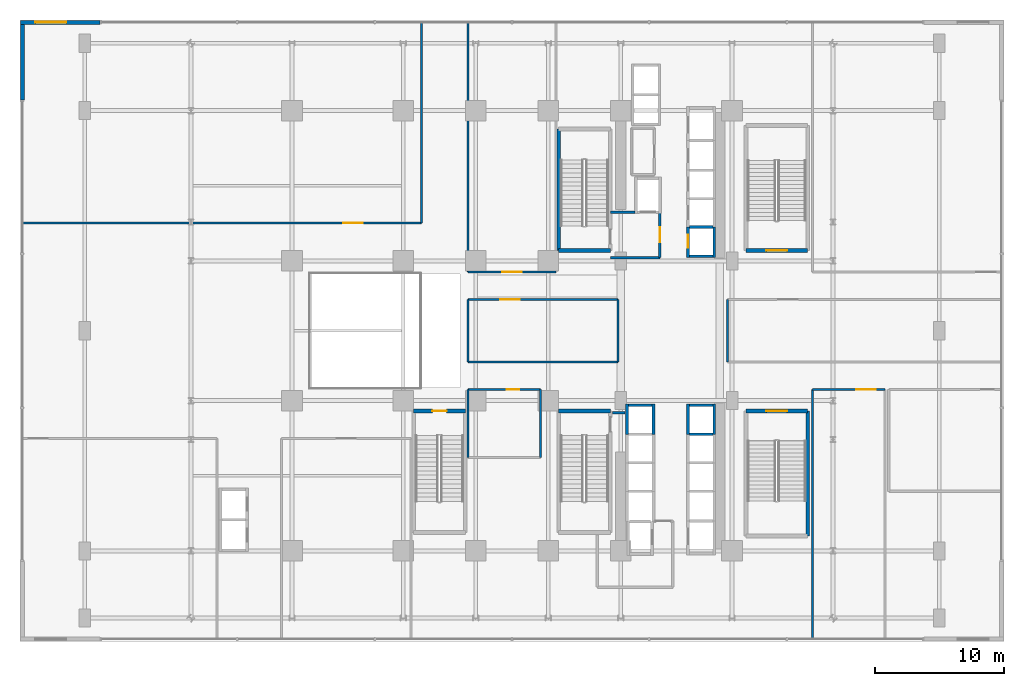
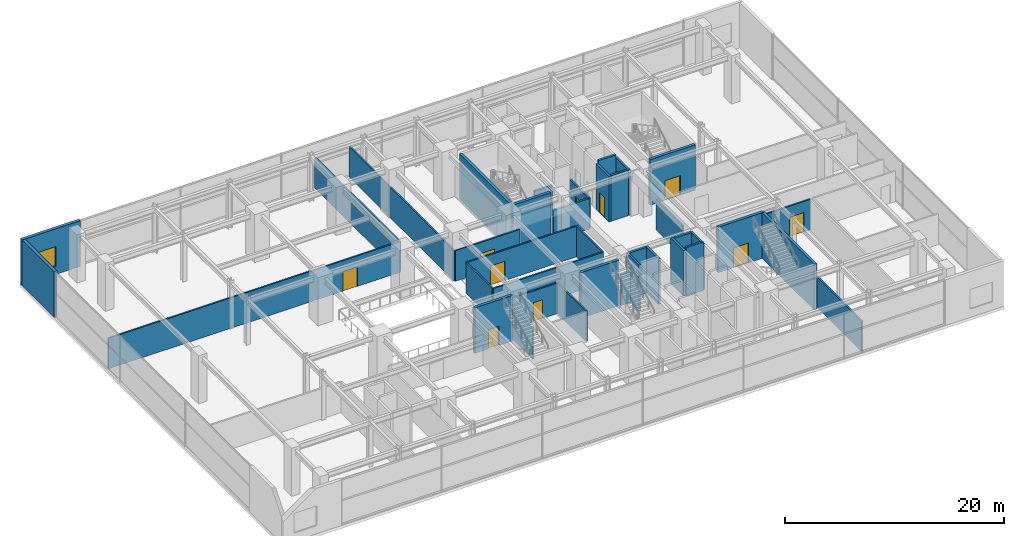
# One storey, part 28 of 32: 38 walls, 10 doors, 1 window, 11 openings.
"""IFC4 building model written with IfcOpenShell, lengths in metres."""

import ifcopenshell
import ifcopenshell.guid

model = None  # the IFC model being written
_history = None  # IfcOwnerHistory: only IFC2X3 demands one
_inside = {}  # id of a spatial element -> (the spatial element, [elements in it])
_under = {}  # id of a project, library or spatial element -> (it, [spatial elements below it])
_declared = {}  # id of a project -> (the project, [libraries it declares])
_typed = {}  # id of a type object -> (the type object, [elements of that type])
_made_of = {}  # id of a material, layer set ... -> (it, [elements and type objects made of it])


def new_model(schema):
    """Start an empty IFC model of exactly this schema.

    Asked for "IFC4X3", IfcOpenShell would pick the latest addendum, in which some entities
    have other attributes; the version numbers below select the first issue.
    IFC2X3 requires an IfcOwnerHistory on every rooted entity: one is made here for all.
    """
    global model, _history
    if schema == "IFC4X3":
        model = ifcopenshell.file(schema_version=(4, 3, 0, 0))
    else:
        model = ifcopenshell.file(schema=schema)
    _inside.clear()
    _under.clear()
    _declared.clear()
    _typed.clear()
    _made_of.clear()
    _history = None
    if model.schema == "IFC2X3":
        org = make("IfcOrganization", Name="unknown")
        user = make(
            "IfcPersonAndOrganization",
            ThePerson=make("IfcPerson", FamilyName="unknown"),
            TheOrganization=org,
        )
        app = make(
            "IfcApplication",
            ApplicationDeveloper=org,
            Version="unknown",
            ApplicationFullName="unknown",
            ApplicationIdentifier="unknown",
        )
        _history = make(
            "IfcOwnerHistory",
            OwningUser=user,
            OwningApplication=app,
            ChangeAction="ADDED",
            CreationDate=0,
        )
    return model


def make(cls, **values):
    """One entity of the class cls with the attributes given. An attribute that is None is left unset."""
    return model.create_entity(
        cls, **{name: value for name, value in values.items() if value is not None}
    )


def rooted(cls, **values):
    """An entity with a GlobalId (a new one), such as an element, a storey or a relation."""
    return make(cls, GlobalId=ifcopenshell.guid.new(), OwnerHistory=_history, **values)


def si_unit(unit_type, name, prefix=None):
    """IfcSIUnit, for example si_unit("LENGTHUNIT", "METRE", prefix="MILLI")."""
    return make("IfcSIUnit", UnitType=unit_type, Prefix=prefix, Name=name)


def assignment(units):
    """IfcUnitAssignment: the units of a project."""
    return None if units is None else make("IfcUnitAssignment", Units=units)


def point(xyz):
    """IfcCartesianPoint."""
    return None if xyz is None else make("IfcCartesianPoint", Coordinates=xyz)


def direction(xyz):
    """IfcDirection."""
    return None if xyz is None else make("IfcDirection", DirectionRatios=xyz)


def frame(location, z_axis=None, x_axis=None):
    """IfcAxis2Placement3D, a coordinate frame: its origin and axes. An axis left out is left unset."""
    return make(
        "IfcAxis2Placement3D",
        Location=point(location),
        Axis=direction(z_axis),
        RefDirection=direction(x_axis),
    )


def frame_2d(location, x_axis=None):
    """IfcAxis2Placement2D, a coordinate frame in the plane: its origin and x axis."""
    return make(
        "IfcAxis2Placement2D", Location=point(location), RefDirection=direction(x_axis)
    )


def origin():
    """The frame at (0, 0, 0) with its axes left unset."""
    return frame((0.0, 0.0, 0.0))


def place(relative_to, where):
    """IfcLocalPlacement: puts the frame where relative to a parent placement (None: the world)."""
    return make(
        "IfcLocalPlacement", PlacementRelTo=relative_to, RelativePlacement=where
    )


def context(
    kind, dimensions, precision=None, world=None, true_north=None, identifier=None
):
    """IfcGeometricRepresentationContext, for example the 3D "Model" context."""
    return make(
        "IfcGeometricRepresentationContext",
        ContextIdentifier=identifier,
        ContextType=kind,
        CoordinateSpaceDimension=dimensions,
        Precision=precision,
        WorldCoordinateSystem=world,
        TrueNorth=true_north,
    )


def subcontext(parent, identifier, kind, view, scale=None):
    """IfcGeometricRepresentationSubContext, for example "Body" below "Model"."""
    return make(
        "IfcGeometricRepresentationSubContext",
        ContextIdentifier=identifier,
        ContextType=kind,
        ParentContext=parent,
        TargetScale=scale,
        TargetView=view,
    )


def project(units=None, contexts=None):
    """IfcProject with its units and contexts."""
    return rooted(
        "IfcProject",
        Name="project",
        RepresentationContexts=contexts,
        UnitsInContext=assignment(units),
    )


def spatial(cls, under=None, at=None, **own):
    """A site, building, storey or space (cls), placed at a placement, below another one or the project."""
    s = rooted(cls, ObjectPlacement=at, **own)
    if under is not None:
        _under.setdefault(under.id(), (under, []))[1].append(s)
    return s


def profile(cls, at=None, kind="AREA", **sizes):
    """A parametric profile (cls). Its sizes go by their IFC names, for example OverallWidth=200.0."""
    return make(cls, ProfileType=kind, Position=at, **sizes)


def rectangle(**sizes):
    """IfcRectangleProfileDef."""
    return profile("IfcRectangleProfileDef", **sizes)


def extrude(swept, where, along, depth):
    """IfcExtrudedAreaSolid: the profile swept, set in the frame where, extruded along a direction by depth."""
    return make(
        "IfcExtrudedAreaSolid",
        SweptArea=swept,
        Position=where,
        ExtrudedDirection=direction(along),
        Depth=depth,
    )


def shape(context_of_items, identifier, shape_type, items):
    """IfcShapeRepresentation: the items that make up one representation, for example the "Body"."""
    return make(
        "IfcShapeRepresentation",
        ContextOfItems=context_of_items,
        RepresentationIdentifier=identifier,
        RepresentationType=shape_type,
        Items=items,
    )


def source(mapping_origin, context_of_items, identifier, shape_type, items):
    """IfcRepresentationMap: a shape defined once, which mapped items show again and again."""
    return make(
        "IfcRepresentationMap",
        MappingOrigin=mapping_origin,
        MappedRepresentation=shape(context_of_items, identifier, shape_type, items),
    )


def transform(
    local_origin,
    x_axis=None,
    y_axis=None,
    z_axis=None,
    scale=None,
    scale2=None,
    scale3=None,
    uniform=True,
):
    """IfcCartesianTransformationOperator3D, or its non-uniform kind. x_axis, y_axis, z_axis: its Axis1, 2, 3."""
    if uniform:
        return make(
            "IfcCartesianTransformationOperator3D",
            Axis1=direction(x_axis),
            Axis2=direction(y_axis),
            LocalOrigin=point(local_origin),
            Scale=scale,
            Axis3=direction(z_axis),
        )
    return make(
        "IfcCartesianTransformationOperator3DnonUniform",
        Axis1=direction(x_axis),
        Axis2=direction(y_axis),
        LocalOrigin=point(local_origin),
        Scale=scale,
        Axis3=direction(z_axis),
        Scale2=scale2,
        Scale3=scale3,
    )


def mapped(mapping_source, mapping_target):
    """IfcMappedItem: shows the shape of a source again, moved by a transform."""
    return make(
        "IfcMappedItem", MappingSource=mapping_source, MappingTarget=mapping_target
    )


def material(Name=None, Category=None):
    """IfcMaterial."""
    return make("IfcMaterial", Name=Name, Category=Category)


def layer(
    of_material, thickness, ventilated=None, Name=None, Category=None, Priority=None
):
    """IfcMaterialLayer: one layer of a wall or slab, of a material (None: an air gap)."""
    return make(
        "IfcMaterialLayer",
        Material=of_material,
        LayerThickness=thickness,
        IsVentilated=ventilated,
        Name=Name,
        Category=Category,
        Priority=Priority,
    )


def layer_set(layers, Name=None):
    """IfcMaterialLayerSet."""
    return make("IfcMaterialLayerSet", MaterialLayers=layers, LayerSetName=Name)


def made_of(thing, what):
    """Note that an element or type object is made of a material, layer set ...; save() writes the relation."""
    if what is not None:
        _made_of.setdefault(what.id(), (what, []))[1].append(thing)
    return thing


def type_object(cls, material=None, **own):
    """A type object (cls), such as IfcWallType, which elements share."""
    return made_of(rooted(cls, **own), material)


def element(
    cls,
    number,
    at=None,
    inside=None,
    cuts=None,
    type_object=None,
    material=None,
    context=None,
    identifier="Body",
    shape_type=None,
    held_by="IfcProductDefinitionShape",
    body=None,
    shapes=None,
    **own,
):
    """One element of the class cls, such as IfcWall. Its Tag is "e" and its number.

    at: its placement. inside: the storey or other place that contains it. cuts: it is an
    opening in that element (IfcRelVoidsElement). A single representation is given by context,
    identifier, shape_type and body (its items); several are given by shapes. held_by: the class
    of the entity that holds the representations. save() writes the other relations.
    """
    e = rooted(cls, Tag="e%d" % number, ObjectPlacement=at, **own)
    if body is not None:
        shapes = [shape(context, identifier, shape_type, body)]
    if shapes is not None:
        e.Representation = make(held_by, Representations=shapes)
    if inside is not None:
        _inside.setdefault(inside.id(), (inside, []))[1].append(e)
    if cuts is not None:
        rooted(
            "IfcRelVoidsElement", RelatingBuildingElement=cuts, RelatedOpeningElement=e
        )
    if type_object is not None:
        _typed.setdefault(type_object.id(), (type_object, []))[1].append(e)
    return made_of(e, material)


def fill(opening, filler):
    """IfcRelFillsElement: the door or window that sits in an opening."""
    return rooted(
        "IfcRelFillsElement",
        RelatingOpeningElement=opening,
        RelatedBuildingElement=filler,
    )


def aggregate(whole, parts):
    """IfcRelAggregates: a whole, such as a stair, and the parts it consists of."""
    return rooted("IfcRelAggregates", RelatingObject=whole, RelatedObjects=parts)


def save(model, path):
    """Write the relations noted so far, then the file.

    IfcRelAggregates (storeys below a building ...), IfcRelContainedInSpatialStructure (elements
    in a storey), IfcRelDefinesByType, IfcRelAssociatesMaterial and IfcRelDeclares: one each for
    every whole, place, type object, material and project.
    """
    for whole, parts in _under.values():
        aggregate(whole, parts)
    for where, things in _inside.values():
        rooted(
            "IfcRelContainedInSpatialStructure",
            RelatedElements=things,
            RelatingStructure=where,
        )
    for kind, things in _typed.values():
        rooted("IfcRelDefinesByType", RelatedObjects=things, RelatingType=kind)
    for what, things in _made_of.values():
        rooted("IfcRelAssociatesMaterial", RelatedObjects=things, RelatingMaterial=what)
    for by, libraries in _declared.values():
        rooted("IfcRelDeclares", RelatingContext=by, RelatedDefinitions=libraries)
    model.write(path)


model = new_model("IFC4")

# Units and contexts
model_context = context("Model", 3, precision=1e-05, world=origin(), true_north=direction((0.0, 1.0)))
body_context = subcontext(model_context, "Body", "Model", "MODEL_VIEW")
ifc_project = project(units=[si_unit("LENGTHUNIT", "METRE"), si_unit("AREAUNIT", "SQUARE_METRE"), si_unit("VOLUMEUNIT", "CUBIC_METRE"), si_unit("PLANEANGLEUNIT", "RADIAN"), si_unit("MASSUNIT", "GRAM", prefix="KILO")], contexts=[model_context])

# Site, building, storey
site_placement = place(None, origin())
site = spatial("IfcSite", under=ifc_project, at=site_placement, CompositionType="ELEMENT")
building_placement = place(site_placement, origin())
building = spatial("IfcBuilding", under=site, at=building_placement, Name="Nahalor Promenade Grand Hotel", CompositionType="ELEMENT")
storey_placement = place(building_placement, frame((0.0, 0.0, 5.39990234375)))
storey = spatial("IfcBuildingStorey", under=building, at=storey_placement, Name="L01", CompositionType="ELEMENT", Elevation=5.39990234375)

# Walls
ifc_material_1 = material(Name="Concrete B-50 (C40/50)", Category="concrete")
ifc_layer_1 = layer(ifc_material_1, 0.300048828125)
ifc_layer_set_1 = layer_set([ifc_layer_1], Name="Concrete B-50 (C40/50)")
wall_type_1 = type_object("IfcWallType", Name="Wall-ShaftShear-300", PredefinedType="SHEAR", material=ifc_layer_set_1)
shared_shape_1 = source(origin(), body_context, "Body", "SweptSolid", [
    extrude(rectangle(XDim=3.97998046875, YDim=0.300048828125, at=frame_2d((1.989990234375, 0.0))), origin(), (0.0, 0.0, 1.0), 5.080078125),
])
for number, where, z_axis, x_axis, name in (
    (1, (3.610107421875, 6.2099609375, 0.0), (0.0, 0.0, 1.0), (1.0, 0.0, 0.0), "L01 Exit Stair ST1 Shaft Wall S"),
    (2, (3.610107421875, -6.2099609375, 0.0), (0.0, 0.0, 1.0), (1.0, 0.0, 0.0), "L01 Exit Stair ST2 Shaft Wall N"),
):
    element("IfcWall", number, at=place(storey_placement, frame(where, z_axis=z_axis, x_axis=x_axis)), inside=storey, type_object=wall_type_1, Name=name, PredefinedType="SHEAR", context=body_context, shape_type="MappedRepresentation", body=[
        mapped(shared_shape_1, transform((0.0, 0.0, 0.0), scale=1.0)),
    ])

# Wall, opening, door
wall_1_placement = place(storey_placement, frame((-7.590087890625, -6.2099609375, 0.0), z_axis=(0.0, 0.0, 1.0), x_axis=(1.0, 0.0, 0.0)))
wall_1 = element("IfcWall", 3, at=wall_1_placement, inside=storey, type_object=wall_type_1, Name="L01 Exit Stair ST3 Shaft Wall N", PredefinedType="SHEAR", context=body_context, shape_type="MappedRepresentation", body=[
    mapped(shared_shape_1, transform((0.0, 0.0, 0.0), scale=1.0)),
])
opening_1_placement = place(wall_1_placement, frame((1.43994140625, 0.0, 0.0)))
opening_1 = element("IfcOpeningElement", 4, at=opening_1_placement, cuts=wall_1, Name="Opening D-ST1", PredefinedType="OPENING", context=body_context, shape_type="SweptSolid", body=[
    extrude(rectangle(XDim=1.10009765625, YDim=2.14990234375, at=frame_2d((0.550048828125, 1.074951171875))), frame((0.0, 0.159912109375, 0.0), z_axis=(0.0, -1.0, 0.0), x_axis=(1.0, 0.0, 0.0)), (0.0, 0.0, 1.0), 0.320068359375),
])
ifc_material_2 = material(Name="Steel S355JR", Category="steel")
door_type_1 = type_object("IfcDoorType", Name="Door-StairFire-1100", OperationType="NOTDEFINED", PredefinedType="DOOR", material=ifc_material_2)
shared_shape_2 = source(origin(), body_context, "Body", "SweptSolid", [
    extrude(rectangle(XDim=1.10009765625, YDim=2.14990234375, at=frame_2d((0.550048828125, 1.074951171875))), frame((0.0, 0.02490234375, 0.0), z_axis=(0.0, -1.0, 0.0), x_axis=(1.0, 0.0, 0.0)), (0.0, 0.0, 1.0), 0.050048828125),
])
door_1_placement = place(opening_1_placement, frame((1.10009765625, 0.0, 0.0), z_axis=(0.0, 0.0, 1.0), x_axis=(-1.0, 0.0, 0.0)))
door_1 = element("IfcDoor", 5, at=door_1_placement, inside=storey, type_object=door_type_1, Name="DR-STAIR-ST3-L01", OperationType="SINGLE_SWING_RIGHT", OverallHeight=2.14990234375, OverallWidth=1.10009765625, PredefinedType="DOOR", context=body_context, shape_type="MappedRepresentation", body=[
    mapped(shared_shape_2, transform((0.0, 0.0, 0.0), scale=1.0)),
])
fill(opening_1, door_1)

# Wall
shared_shape_3 = source(origin(), body_context, "Body", "SweptSolid", [
    extrude(rectangle(XDim=9.380126953125, YDim=0.300048828125, at=frame_2d((4.68994140625, 0.0))), origin(), (0.0, 0.0, 1.0), 5.080078125),
])
wall_2_placement = place(storey_placement, frame((3.610107421875, 6.2099609375, 0.0), z_axis=(0.0, 0.0, 1.0), x_axis=(0.0, 1.0, 0.0)))
element("IfcWall", 6, at=wall_2_placement, inside=storey, type_object=wall_type_1, Name="L01 Exit Stair ST1 Shaft Wall W", PredefinedType="SHEAR", context=body_context, shape_type="MappedRepresentation", body=[
    mapped(shared_shape_3, transform((0.0, 0.0, 0.0), scale=1.0)),
])

# Wall, opening, door
shared_shape_4 = source(origin(), body_context, "Body", "SweptSolid", [
    extrude(rectangle(XDim=4.780029296875, YDim=0.300048828125, at=frame_2d((2.39013671875, 0.0))), origin(), (0.0, 0.0, 1.0), 5.080078125),
])
wall_3_placement = place(storey_placement, frame((18.06005859375, 6.2099609375, 0.0), z_axis=(0.0, 0.0, 1.0), x_axis=(1.0, 0.0, 0.0)))
wall_3 = element("IfcWall", 7, at=wall_3_placement, inside=storey, type_object=wall_type_1, Name="L01 Exit Stair ST4 Shaft Wall S", PredefinedType="SHEAR", context=body_context, shape_type="MappedRepresentation", body=[
    mapped(shared_shape_4, transform((0.0, 0.0, 0.0), scale=1.0)),
])
opening_2_placement = place(wall_3_placement, frame((1.590087890625, 0.0, 0.0)))
opening_2 = element("IfcOpeningElement", 8, at=opening_2_placement, cuts=wall_3, Name="Opening D-ST2", PredefinedType="OPENING", context=body_context, shape_type="SweptSolid", body=[
    extrude(rectangle(XDim=1.60009765625, YDim=2.199951171875, at=frame_2d((0.800048828125, 1.10009765625))), frame((0.0, 0.159912109375, 0.0), z_axis=(0.0, -1.0, 0.0), x_axis=(1.0, 0.0, 0.0)), (0.0, 0.0, 1.0), 0.320068359375),
])
door_type_2 = type_object("IfcDoorType", Name="Door-StairGrand-1600", OperationType="DOUBLE_DOOR_SINGLE_SWING", PredefinedType="DOOR", material=ifc_material_2)
shared_shape_5 = source(origin(), body_context, "Body", "SweptSolid", [
    extrude(rectangle(XDim=1.60009765625, YDim=2.199951171875, at=frame_2d((0.800048828125, 1.10009765625))), frame((0.0, 0.02490234375, 0.0), z_axis=(0.0, -1.0, 0.0), x_axis=(1.0, 0.0, 0.0)), (0.0, 0.0, 1.0), 0.050048828125),
])
door_2_placement = place(opening_2_placement, origin())
door_2 = element("IfcDoor", 9, at=door_2_placement, inside=storey, type_object=door_type_2, Name="DR-STAIR-ST4-L01", OperationType="DOUBLE_DOOR_SINGLE_SWING", OverallHeight=2.199951171875, OverallWidth=1.60009765625, PredefinedType="DOOR", context=body_context, shape_type="MappedRepresentation", body=[
    mapped(shared_shape_5, transform((0.0, 0.0, 0.0), scale=1.0)),
])
fill(opening_2, door_2)

wall_4_placement = place(storey_placement, frame((18.06005859375, -6.2099609375, 0.0), z_axis=(0.0, 0.0, 1.0), x_axis=(1.0, 0.0, 0.0)))
wall_4 = element("IfcWall", 10, at=wall_4_placement, inside=storey, type_object=wall_type_1, Name="L01 Exit Stair ST5 Shaft Wall N", PredefinedType="SHEAR", context=body_context, shape_type="MappedRepresentation", body=[
    mapped(shared_shape_4, transform((0.0, 0.0, 0.0), scale=1.0)),
])
opening_3_placement = place(wall_4_placement, frame((1.590087890625, 0.0, 0.0)))
opening_3 = element("IfcOpeningElement", 11, at=opening_3_placement, cuts=wall_4, Name="Opening D-ST2", PredefinedType="OPENING", context=body_context, shape_type="SweptSolid", body=[
    extrude(rectangle(XDim=1.60009765625, YDim=2.199951171875, at=frame_2d((0.800048828125, 1.10009765625))), frame((0.0, 0.159912109375, 0.0), z_axis=(0.0, -1.0, 0.0), x_axis=(1.0, 0.0, 0.0)), (0.0, 0.0, 1.0), 0.320068359375),
])
door_3_placement = place(opening_3_placement, frame((1.60009765625, 0.0, 0.0), z_axis=(0.0, 0.0, 1.0), x_axis=(-1.0, 0.0, 0.0)))
door_3 = element("IfcDoor", 12, at=door_3_placement, inside=storey, type_object=door_type_2, Name="DR-STAIR-ST5-L01", OperationType="DOUBLE_DOOR_SINGLE_SWING", OverallHeight=2.199951171875, OverallWidth=1.60009765625, PredefinedType="DOOR", context=body_context, shape_type="MappedRepresentation", body=[
    mapped(shared_shape_5, transform((0.0, 0.0, 0.0), scale=1.0)),
])
fill(opening_3, door_3)

# Wall
shared_shape_6 = source(origin(), body_context, "Body", "SweptSolid", [
    extrude(rectangle(XDim=9.630126953125, YDim=0.300048828125, at=frame_2d((4.81494140625, 0.0))), origin(), (0.0, 0.0, 1.0), 5.080078125),
])
wall_5_placement = place(storey_placement, frame((22.840087890625, -15.840087890625, 0.0), z_axis=(0.0, 0.0, 1.0), x_axis=(0.0, 1.0, 0.0)))
element("IfcWall", 13, at=wall_5_placement, inside=storey, type_object=wall_type_1, Name="L01 Exit Stair ST5 Shaft Wall E", PredefinedType="SHEAR", context=body_context, shape_type="MappedRepresentation", body=[
    mapped(shared_shape_6, transform((0.0, 0.0, 0.0), scale=1.0)),
])

# Wall, opening, door
ifc_layer_2 = layer(ifc_material_1, 0.219970703125)
ifc_layer_set_2 = layer_set([ifc_layer_2], Name="Concrete B-50 (C40/50)")
wall_type_2 = type_object("IfcWallType", Name="Wall-LiftShaft-220", PredefinedType="SHEAR", material=ifc_layer_set_2)
shared_shape_7 = source(origin(), body_context, "Body", "SweptSolid", [
    extrude(rectangle(XDim=2.360107421875, YDim=0.219970703125, at=frame_2d((1.18017578125, 0.0))), origin(), (0.0, 0.0, 1.0), 5.080078125),
])
wall_6_placement = place(storey_placement, frame((13.580078125, 5.639892578125, 0.0), z_axis=(0.0, 0.0, 1.0), x_axis=(0.0, 1.0, 0.0)))
wall_6 = element("IfcWall", 14, at=wall_6_placement, inside=storey, type_object=wall_type_2, Name="L01 Lift PL1 Hoistway Wall W", PredefinedType="SHEAR", context=body_context, shape_type="MappedRepresentation", body=[
    mapped(shared_shape_7, transform((0.0, 0.0, 0.0), scale=1.0)),
])
opening_4_placement = place(wall_6_placement, frame((0.760009765625, 0.0, 0.0)))
opening_4 = element("IfcOpeningElement", 15, at=opening_4_placement, cuts=wall_6, Name="Opening LD-01", PredefinedType="OPENING", context=body_context, shape_type="SweptSolid", body=[
    extrude(rectangle(XDim=1.0, YDim=2.199951171875, at=frame_2d((0.5, 1.10009765625))), frame((0.0, 0.119873046875, 0.0), z_axis=(0.0, -1.0, 0.0), x_axis=(1.0, 0.0, 0.0)), (0.0, 0.0, 1.0), 0.239990234375),
])
door_type_3 = type_object("IfcDoorType", Name="Door-LiftLanding-1000", OperationType="DOUBLE_DOOR_SLIDING", PredefinedType="DOOR", material=ifc_material_2)
shared_shape_8 = source(origin(), body_context, "Body", "SweptSolid", [
    extrude(rectangle(XDim=1.0, YDim=2.199951171875, at=frame_2d((0.5, 1.10009765625))), frame((0.0, 0.02490234375, 0.0), z_axis=(0.0, -1.0, 0.0), x_axis=(1.0, 0.0, 0.0)), (0.0, 0.0, 1.0), 0.050048828125),
])
door_4_placement = place(opening_4_placement, origin())
door_4 = element("IfcDoor", 16, at=door_4_placement, inside=storey, type_object=door_type_3, Name="DR-LIFT-PL1-L01", OperationType="DOUBLE_DOOR_SLIDING", OverallHeight=2.199951171875, OverallWidth=1.0, PredefinedType="DOOR", context=body_context, shape_type="MappedRepresentation", body=[
    mapped(shared_shape_8, transform((0.0, 0.0, 0.0), scale=1.0)),
])
fill(opening_4, door_4)

# Walls
for number, where, z_axis, x_axis, name in (
    (17, (15.6201171875, 5.639892578125, 0.0), (0.0, 0.0, 1.0), (0.0, 1.0, 0.0), "L01 Lift PL1 Hoistway Wall E"),
    (18, (13.580078125, -8.0, 0.0), (0.0, 0.0, 1.0), (0.0, 1.0, 0.0), "L01 Lift PL5 Hoistway Wall W"),
    (19, (15.6201171875, -8.0, 0.0), (0.0, 0.0, 1.0), (0.0, 1.0, 0.0), "L01 Lift PL5 Hoistway Wall E"),
    (20, (8.8798828125, -8.0, 0.0), (0.0, 0.0, 1.0), (0.0, 1.0, 0.0), "L01 Lift PL9 Hoistway Wall W"),
    (21, (10.919921875, -8.0, 0.0), (0.0, 0.0, 1.0), (0.0, 1.0, 0.0), "L01 Lift PL9 Hoistway Wall E"),
):
    element("IfcWall", number, at=place(storey_placement, frame(where, z_axis=z_axis, x_axis=x_axis)), inside=storey, type_object=wall_type_2, Name=name, PredefinedType="SHEAR", context=body_context, shape_type="MappedRepresentation", body=[
        mapped(shared_shape_7, transform((0.0, 0.0, 0.0), scale=1.0)),
    ])
shared_shape_9 = source(origin(), body_context, "Body", "SweptSolid", [
    extrude(rectangle(XDim=1.820068359375, YDim=0.219970703125, at=frame_2d((0.91015625, 0.0))), origin(), (0.0, 0.0, 1.0), 5.080078125),
])
for number, where, z_axis, x_axis, name in (
    (22, (13.68994140625, 5.75, 0.0), (0.0, 0.0, 1.0), (1.0, 0.0, 0.0), "L01 Lift PL1 Hoistway Wall S"),
    (23, (13.68994140625, -5.75, 0.0), (0.0, 0.0, 1.0), (1.0, 0.0, 0.0), "L01 Lift PL5 Hoistway Wall N"),
    (24, (8.989990234375, -5.75, 0.0), (0.0, 0.0, 1.0), (1.0, 0.0, 0.0), "L01 Lift PL9 Hoistway Wall N"),
):
    element("IfcWall", number, at=place(storey_placement, frame(where, z_axis=z_axis, x_axis=x_axis)), inside=storey, type_object=wall_type_2, Name=name, PredefinedType="SHEAR", context=body_context, shape_type="MappedRepresentation", body=[
        mapped(shared_shape_9, transform((0.0, 0.0, 0.0), scale=1.0)),
    ])
shared_shape_10 = source(origin(), body_context, "Body", "SweptSolid", [
    extrude(rectangle(XDim=1.820068359375, YDim=0.219970703125, at=frame_2d((0.91015625, 0.0))), origin(), (0.0, 0.0, 1.0), 5.400146484375),
])
for number, where, z_axis, x_axis, name in (
    (25, (13.68994140625, 8.0, 0.0), (0.0, 0.0, 1.0), (1.0, 0.0, 0.0), "L01 Lift PL1 Hoistway Wall N"),
    (26, (13.68994140625, -8.0, 0.0), (0.0, 0.0, 1.0), (1.0, 0.0, 0.0), "L01 Lift PL6 Hoistway Wall N"),
):
    element("IfcWall", number, at=place(storey_placement, frame(where, z_axis=z_axis, x_axis=x_axis)), inside=storey, type_object=wall_type_2, Name=name, PredefinedType="SHEAR", context=body_context, shape_type="MappedRepresentation", body=[
        mapped(shared_shape_10, transform((0.0, 0.0, 0.0), scale=1.0)),
    ])

# Wall, opening, window
ifc_material_3 = material(Name="Concrete B-40 (C32/40)", Category="concrete")
ifc_layer_3 = layer(ifc_material_3, 0.320068359375)
ifc_layer_set_3 = layer_set([ifc_layer_3], Name="Concrete B-40 (C32/40)")
wall_type_3 = type_object("IfcWallType", Name="Wall-LimestonePier-320", PredefinedType="STANDARD", material=ifc_layer_set_3)
shared_shape_11 = source(origin(), body_context, "Body", "SweptSolid", [
    extrude(rectangle(XDim=6.159912109375, YDim=0.320068359375, at=frame_2d((3.080078125, 0.0))), origin(), (0.0, 0.0, 1.0), 5.080078125),
])
wall_7_placement = place(storey_placement, frame((-37.97998046875, 23.820068359375, 0.0), z_axis=(0.0, 0.0, 1.0), x_axis=(1.0, 0.0, 0.0)))
wall_7 = element("IfcWall", 27, at=wall_7_placement, inside=storey, type_object=wall_type_3, Name="W-L01-CRN-NW-X", PredefinedType="STANDARD", context=body_context, shape_type="MappedRepresentation", body=[
    mapped(shared_shape_11, transform((0.0, 0.0, 0.0), scale=1.0)),
])
opening_5_placement = place(wall_7_placement, frame((1.159912109375, 0.0, 0.89990234375)))
opening_5 = element("IfcOpeningElement", 28, at=opening_5_placement, cuts=wall_7, Name="Opening WN-02", PredefinedType="OPENING", context=body_context, shape_type="SweptSolid", body=[
    extrude(rectangle(XDim=2.39990234375, YDim=2.199951171875, at=frame_2d((1.199951171875, 1.10009765625))), frame((0.0, 0.169921875, 0.0), z_axis=(0.0, -1.0, 0.0), x_axis=(1.0, 0.0, 0.0)), (0.0, 0.0, 1.0), 0.340087890625),
])
ifc_material_4 = material(Name="Low-E Laminated Solar Glass", Category="glass")
window_type = type_object("IfcWindowType", Name="Win-PodiumArch-2400x2200", PartitioningType="SINGLE_PANEL", PredefinedType="WINDOW", material=ifc_material_4)
shared_shape_12 = source(origin(), body_context, "Body", "SweptSolid", [
    extrude(rectangle(XDim=2.39990234375, YDim=2.199951171875, at=frame_2d((1.199951171875, 1.10009765625))), frame((0.0, 0.030029296875, 0.0), z_axis=(0.0, -1.0, 0.0), x_axis=(1.0, 0.0, 0.0)), (0.0, 0.0, 1.0), 0.06005859375),
])
window_placement = place(opening_5_placement, origin())
window = element("IfcWindow", 29, at=window_placement, inside=storey, type_object=window_type, Name="WN-L01-NW-X", OverallHeight=2.199951171875, OverallWidth=2.39990234375, PartitioningType="SINGLE_PANEL", PredefinedType="WINDOW", context=body_context, shape_type="MappedRepresentation", body=[
    mapped(shared_shape_12, transform((0.0, 0.0, 0.0), scale=1.0)),
])
fill(opening_5, window)

# Walls
shared_shape_13 = source(origin(), body_context, "Body", "SweptSolid", [
    extrude(rectangle(XDim=5.83984375, YDim=0.320068359375, at=frame_2d((2.919921875, 0.0))), origin(), (0.0, 0.0, 1.0), 5.080078125),
])
wall_8_placement = place(storey_placement, frame((-37.820068359375, 17.820068359375, 0.0), z_axis=(0.0, 0.0, 1.0), x_axis=(0.0, 1.0, 0.0)))
element("IfcWall", 30, at=wall_8_placement, inside=storey, type_object=wall_type_3, Name="W-L01-CRN-NW-Y", PredefinedType="STANDARD", context=body_context, shape_type="MappedRepresentation", body=[
    mapped(shared_shape_13, transform((0.0, 0.0, 0.0), scale=1.0)),
])
ifc_layer_4 = layer(ifc_material_3, 0.199951171875)
ifc_layer_set_4 = layer_set([ifc_layer_4], Name="Concrete B-40 (C32/40)")
wall_type_4 = type_object("IfcWallType", Name="Wall-PartFire-200", PredefinedType="PARTITIONING", material=ifc_layer_set_4)
shared_shape_14 = source(origin(), body_context, "Body", "SweptSolid", [
    extrude(rectangle(XDim=3.81982421875, YDim=0.199951171875, at=frame_2d((1.909912109375, 0.0))), origin(), (0.0, 0.0, 1.0), 3.400146484375),
])
wall_9_placement = place(storey_placement, frame((7.60009765625, 5.64990234375, 0.0), z_axis=(0.0, 0.0, 1.0), x_axis=(1.0, 0.0, 0.0)))
element("IfcWall", 31, at=wall_9_placement, inside=storey, type_object=wall_type_4, Name="W-L01-FF1-S", PredefinedType="PARTITIONING", context=body_context, shape_type="MappedRepresentation", body=[
    mapped(shared_shape_14, transform((0.0, 0.0, 0.0), scale=1.0)),
])
shared_shape_15 = source(origin(), body_context, "Body", "SweptSolid", [
    extrude(rectangle(XDim=1.89990234375, YDim=0.199951171875, at=frame_2d((0.949951171875, 0.0))), origin(), (0.0, 0.0, 1.0), 3.400146484375),
])
wall_10_placement = place(storey_placement, frame((7.60009765625, 9.14990234375, 0.0), z_axis=(0.0, 0.0, 1.0), x_axis=(1.0, 0.0, 0.0)))
element("IfcWall", 32, at=wall_10_placement, inside=storey, type_object=wall_type_4, Name="W-L01-FF1-N", PredefinedType="PARTITIONING", context=body_context, shape_type="MappedRepresentation", body=[
    mapped(shared_shape_15, transform((0.0, 0.0, 0.0), scale=1.0)),
])

# Wall, opening, door
shared_shape_16 = source(origin(), body_context, "Body", "SweptSolid", [
    extrude(rectangle(XDim=3.5, YDim=0.199951171875, at=frame_2d((1.75, 0.0))), origin(), (0.0, 0.0, 1.0), 3.400146484375),
])
wall_11_placement = place(storey_placement, frame((11.419921875, 5.64990234375, 0.0), z_axis=(0.0, 0.0, 1.0), x_axis=(0.0, 1.0, 0.0)))
wall_11 = element("IfcWall", 33, at=wall_11_placement, inside=storey, type_object=wall_type_4, Name="W-L01-FF1-E", PredefinedType="PARTITIONING", context=body_context, shape_type="MappedRepresentation", body=[
    mapped(shared_shape_16, transform((0.0, 0.0, 0.0), scale=1.0)),
])
opening_6_placement = place(wall_11_placement, frame((1.175048828125, 0.0, 0.0)))
opening_6 = element("IfcOpeningElement", 34, at=opening_6_placement, cuts=wall_11, Name="Opening D-FF1", PredefinedType="OPENING", context=body_context, shape_type="SweptSolid", body=[
    extrude(rectangle(XDim=1.14990234375, YDim=2.14990234375, at=frame_2d((0.574951171875, 1.074951171875))), frame((0.0, 0.10986328125, 0.0), z_axis=(0.0, -1.0, 0.0), x_axis=(1.0, 0.0, 0.0)), (0.0, 0.0, 1.0), 0.219970703125),
])
door_type_4 = type_object("IfcDoorType", Name="Door-FFLobby-1150", OperationType="NOTDEFINED", PredefinedType="DOOR", material=ifc_material_2)
shared_shape_17 = source(origin(), body_context, "Body", "SweptSolid", [
    extrude(rectangle(XDim=1.14990234375, YDim=2.14990234375, at=frame_2d((0.574951171875, 1.074951171875))), frame((0.0, 0.02490234375, 0.0), z_axis=(0.0, -1.0, 0.0), x_axis=(1.0, 0.0, 0.0)), (0.0, 0.0, 1.0), 0.050048828125),
])
door_5_placement = place(opening_6_placement, frame((1.14990234375, 0.0, 0.0), z_axis=(0.0, 0.0, 1.0), x_axis=(-1.0, 0.0, 0.0)))
door_5 = element("IfcDoor", 35, at=door_5_placement, inside=storey, type_object=door_type_4, Name="DR-L01-FFL1", OperationType="SINGLE_SWING_LEFT", OverallHeight=2.14990234375, OverallWidth=1.14990234375, PredefinedType="DOOR", context=body_context, shape_type="MappedRepresentation", body=[
    mapped(shared_shape_17, transform((0.0, 0.0, 0.0), scale=1.0)),
])
fill(opening_6, door_5)

# Wall
shared_shape_18 = source(origin(), body_context, "Body", "SweptSolid", [
    extrude(rectangle(XDim=0.969970703125, YDim=0.199951171875, at=frame_2d((0.48486328125, 0.0))), origin(), (0.0, 0.0, 1.0), 3.400146484375),
])
wall_12_placement = place(storey_placement, frame((7.77001953125, -6.35009765625, 0.0), z_axis=(0.0, 0.0, 1.0), x_axis=(1.0, 0.0, 0.0)))
element("IfcWall", 36, at=wall_12_placement, inside=storey, type_object=wall_type_4, Name="W-L01-FF2-N2", PredefinedType="PARTITIONING", context=body_context, shape_type="MappedRepresentation", body=[
    mapped(shared_shape_18, transform((0.0, 0.0, 0.0), scale=1.0)),
])

# Wall, opening, door
ifc_material_5 = material(Name="Acoustic Mineral Gypsum", Category="gypsum")
ifc_layer_5 = layer(ifc_material_5, 0.159912109375)
ifc_layer_set_5 = layer_set([ifc_layer_5], Name="Acoustic Mineral Gypsum")
wall_type_5 = type_object("IfcWallType", Name="Wall-PartCorridor-160", PredefinedType="PARTITIONING", material=ifc_layer_set_5)
shared_shape_19 = source(origin(), body_context, "Body", "SweptSolid", [
    extrude(rectangle(XDim=30.760009765625, YDim=0.159912109375, at=frame_2d((15.3798828125, 0.0))), origin(), (0.0, 0.0, 1.0), 3.400146484375),
])
wall_13_placement = place(storey_placement, frame((-37.760009765625, 8.320068359375, 0.0), z_axis=(0.0, 0.0, 1.0), x_axis=(1.0, 0.0, 0.0)))
wall_13 = element("IfcWall", 37, at=wall_13_placement, inside=storey, type_object=wall_type_5, Name="W-L01-PR01-S", PredefinedType="PARTITIONING", context=body_context, shape_type="MappedRepresentation", body=[
    mapped(shared_shape_19, transform((0.0, 0.0, 0.0), scale=1.0)),
])
opening_7_placement = place(wall_13_placement, frame((24.717041015625, 0.0, 0.0)))
opening_7 = element("IfcOpeningElement", 38, at=opening_7_placement, cuts=wall_13, Name="Opening D-02", PredefinedType="OPENING", context=body_context, shape_type="SweptSolid", body=[
    extrude(rectangle(XDim=1.5, YDim=2.14990234375, at=frame_2d((0.75, 1.074951171875))), frame((0.0, 0.08984375, 0.0), z_axis=(0.0, -1.0, 0.0), x_axis=(1.0, 0.0, 0.0)), (0.0, 0.0, 1.0), 0.179931640625),
])
ifc_material_6 = material(Name="Fire-Rated Timber Composite", Category="wood")
door_type_5 = type_object("IfcDoorType", Name="Door-SuiteDouble-1500", OperationType="DOUBLE_DOOR_SINGLE_SWING", PredefinedType="DOOR", material=ifc_material_6)
shared_shape_20 = source(origin(), body_context, "Body", "SweptSolid", [
    extrude(rectangle(XDim=1.5, YDim=2.14990234375, at=frame_2d((0.75, 1.074951171875))), frame((0.0, 0.02490234375, 0.0), z_axis=(0.0, -1.0, 0.0), x_axis=(1.0, 0.0, 0.0)), (0.0, 0.0, 1.0), 0.050048828125),
])
door_6_placement = place(opening_7_placement, origin())
door_6 = element("IfcDoor", 39, at=door_6_placement, inside=storey, type_object=door_type_5, Name="DR-L01-PR01", OperationType="DOUBLE_DOOR_SINGLE_SWING", OverallHeight=2.14990234375, OverallWidth=1.5, PredefinedType="DOOR", context=body_context, shape_type="MappedRepresentation", body=[
    mapped(shared_shape_20, transform((0.0, 0.0, 0.0), scale=1.0)),
])
fill(opening_7, door_6)

# Wall
shared_shape_21 = source(origin(), body_context, "Body", "SweptSolid", [
    extrude(rectangle(XDim=15.43994140625, YDim=0.159912109375, at=frame_2d((7.719970703125, 0.0))), origin(), (0.0, 0.0, 1.0), 3.400146484375),
])
wall_14_placement = place(storey_placement, frame((-7.0, 8.320068359375, 0.0), z_axis=(0.0, 0.0, 1.0), x_axis=(0.0, 1.0, 0.0)))
element("IfcWall", 40, at=wall_14_placement, inside=storey, type_object=wall_type_5, Name="W-L01-PR01-E", PredefinedType="PARTITIONING", context=body_context, shape_type="MappedRepresentation", body=[
    mapped(shared_shape_21, transform((0.0, 0.0, 0.0), scale=1.0)),
])

# Wall, opening, door
shared_shape_22 = source(origin(), body_context, "Body", "SweptSolid", [
    extrude(rectangle(XDim=6.7998046875, YDim=0.159912109375, at=frame_2d((3.39990234375, 0.0))), origin(), (0.0, 0.0, 1.0), 3.400146484375),
])
wall_15_placement = place(storey_placement, frame((-3.39990234375, 4.550048828125, 0.0), z_axis=(0.0, 0.0, 1.0), x_axis=(1.0, 0.0, 0.0)))
wall_15 = element("IfcWall", 41, at=wall_15_placement, inside=storey, type_object=wall_type_5, Name="W-L01-PR02-S", PredefinedType="PARTITIONING", context=body_context, shape_type="MappedRepresentation", body=[
    mapped(shared_shape_22, transform((0.0, 0.0, 0.0), scale=1.0)),
])
opening_8_placement = place(wall_15_placement, frame((2.64990234375, 0.0, 0.0)))
opening_8 = element("IfcOpeningElement", 42, at=opening_8_placement, cuts=wall_15, Name="Opening D-02", PredefinedType="OPENING", context=body_context, shape_type="SweptSolid", body=[
    extrude(rectangle(XDim=1.5, YDim=2.14990234375, at=frame_2d((0.75, 1.074951171875))), frame((0.0, 0.08984375, 0.0), z_axis=(0.0, -1.0, 0.0), x_axis=(1.0, 0.0, 0.0)), (0.0, 0.0, 1.0), 0.179931640625),
])
door_7_placement = place(opening_8_placement, origin())
door_7 = element("IfcDoor", 43, at=door_7_placement, inside=storey, type_object=door_type_5, Name="DR-L01-PR02", OperationType="DOUBLE_DOOR_SINGLE_SWING", OverallHeight=2.14990234375, OverallWidth=1.5, PredefinedType="DOOR", context=body_context, shape_type="MappedRepresentation", body=[
    mapped(shared_shape_20, transform((0.0, 0.0, 0.0), scale=1.0)),
])
fill(opening_8, door_7)

# Walls
shared_shape_23 = source(origin(), body_context, "Body", "SweptSolid", [
    extrude(rectangle(XDim=19.2099609375, YDim=0.159912109375, at=frame_2d((9.60498046875, 0.0))), origin(), (0.0, 0.0, 1.0), 3.400146484375),
])
for number, where, z_axis, x_axis, name in (
    (44, (-3.39990234375, 4.550048828125, 0.0), (0.0, 0.0, 1.0), (0.0, 1.0, 0.0), "W-L01-PR02-W"),
    (45, (23.199951171875, -23.760009765625, 0.0), (0.0, 0.0, 1.0), (0.0, 1.0, 0.0), "W-L01-PR06-W"),
):
    element("IfcWall", number, at=place(storey_placement, frame(where, z_axis=z_axis, x_axis=x_axis)), inside=storey, type_object=wall_type_5, Name=name, PredefinedType="PARTITIONING", context=body_context, shape_type="MappedRepresentation", body=[
        mapped(shared_shape_23, transform((0.0, 0.0, 0.0), scale=1.0)),
    ])

# Wall, opening, door
shared_shape_24 = source(origin(), body_context, "Body", "SweptSolid", [
    extrude(rectangle(XDim=5.60009765625, YDim=0.159912109375, at=frame_2d((2.800048828125, 0.0))), origin(), (0.0, 0.0, 1.0), 3.400146484375),
])
wall_16_placement = place(storey_placement, frame((23.199951171875, -4.550048828125, 0.0), z_axis=(0.0, 0.0, 1.0), x_axis=(1.0, 0.0, 0.0)))
wall_16 = element("IfcWall", 46, at=wall_16_placement, inside=storey, type_object=wall_type_5, Name="W-L01-PR06-N", PredefinedType="PARTITIONING", context=body_context, shape_type="MappedRepresentation", body=[
    mapped(shared_shape_24, transform((0.0, 0.0, 0.0), scale=1.0)),
])
opening_9_placement = place(wall_16_placement, frame((3.385986328125, 0.0, 0.0)))
opening_9 = element("IfcOpeningElement", 47, at=opening_9_placement, cuts=wall_16, Name="Opening D-02", PredefinedType="OPENING", context=body_context, shape_type="SweptSolid", body=[
    extrude(rectangle(XDim=1.5, YDim=2.14990234375, at=frame_2d((0.75, 1.074951171875))), frame((0.0, 0.08984375, 0.0), z_axis=(0.0, -1.0, 0.0), x_axis=(1.0, 0.0, 0.0)), (0.0, 0.0, 1.0), 0.179931640625),
])
door_8_placement = place(opening_9_placement, frame((1.5, 0.0, 0.0), z_axis=(0.0, 0.0, 1.0), x_axis=(-1.0, 0.0, 0.0)))
door_8 = element("IfcDoor", 48, at=door_8_placement, inside=storey, type_object=door_type_5, Name="DR-L01-PR06", OperationType="DOUBLE_DOOR_SINGLE_SWING", OverallHeight=2.14990234375, OverallWidth=1.5, PredefinedType="DOOR", context=body_context, shape_type="MappedRepresentation", body=[
    mapped(shared_shape_20, transform((0.0, 0.0, 0.0), scale=1.0)),
])
fill(opening_9, door_8)

# Wall
shared_shape_25 = source(origin(), body_context, "Body", "SweptSolid", [
    extrude(rectangle(XDim=11.599853515625, YDim=0.159912109375, at=frame_2d((5.7998046875, 0.0))), origin(), (0.0, 0.0, 1.0), 3.400146484375),
])
wall_17_placement = place(storey_placement, frame((-3.39990234375, -2.39990234375, 0.0), z_axis=(0.0, 0.0, 1.0), x_axis=(1.0, 0.0, 0.0)))
element("IfcWall", 49, at=wall_17_placement, inside=storey, type_object=wall_type_5, Name="W-L01-PR07-S", PredefinedType="PARTITIONING", context=body_context, shape_type="MappedRepresentation", body=[
    mapped(shared_shape_25, transform((0.0, 0.0, 0.0), scale=1.0)),
])

# Wall, opening, door
wall_18_placement = place(storey_placement, frame((-3.39990234375, 2.39990234375, 0.0), z_axis=(0.0, 0.0, 1.0), x_axis=(1.0, 0.0, 0.0)))
wall_18 = element("IfcWall", 50, at=wall_18_placement, inside=storey, type_object=wall_type_5, Name="W-L01-PR07-N", PredefinedType="PARTITIONING", context=body_context, shape_type="MappedRepresentation", body=[
    mapped(shared_shape_25, transform((0.0, 0.0, 0.0), scale=1.0)),
])
opening_10_placement = place(wall_18_placement, frame((2.48291015625, 0.0, 0.0)))
opening_10 = element("IfcOpeningElement", 51, at=opening_10_placement, cuts=wall_18, Name="Opening D-02", PredefinedType="OPENING", context=body_context, shape_type="SweptSolid", body=[
    extrude(rectangle(XDim=1.5, YDim=2.14990234375, at=frame_2d((0.75, 1.074951171875))), frame((0.0, 0.08984375, 0.0), z_axis=(0.0, -1.0, 0.0), x_axis=(1.0, 0.0, 0.0)), (0.0, 0.0, 1.0), 0.179931640625),
])
door_9_placement = place(opening_10_placement, frame((1.5, 0.0, 0.0), z_axis=(0.0, 0.0, 1.0), x_axis=(-1.0, 0.0, 0.0)))
door_9 = element("IfcDoor", 52, at=door_9_placement, inside=storey, type_object=door_type_5, Name="DR-L01-PR07", OperationType="DOUBLE_DOOR_SINGLE_SWING", OverallHeight=2.14990234375, OverallWidth=1.5, PredefinedType="DOOR", context=body_context, shape_type="MappedRepresentation", body=[
    mapped(shared_shape_20, transform((0.0, 0.0, 0.0), scale=1.0)),
])
fill(opening_10, door_9)

# Walls
shared_shape_26 = source(origin(), body_context, "Body", "SweptSolid", [
    extrude(rectangle(XDim=4.7998046875, YDim=0.159912109375, at=frame_2d((2.39990234375, 0.0))), origin(), (0.0, 0.0, 1.0), 3.400146484375),
])
for number, where, z_axis, x_axis, name in (
    (53, (-3.39990234375, -2.39990234375, 0.0), (0.0, 0.0, 1.0), (0.0, 1.0, 0.0), "W-L01-PR07-W"),
    (54, (8.199951171875, -2.39990234375, 0.0), (0.0, 0.0, 1.0), (0.0, 1.0, 0.0), "W-L01-PR07-E"),
    (55, (16.64990234375, -2.39990234375, 0.0), (0.0, 0.0, 1.0), (0.0, 1.0, 0.0), "W-L01-PR08-W"),
):
    element("IfcWall", number, at=place(storey_placement, frame(where, z_axis=z_axis, x_axis=x_axis)), inside=storey, type_object=wall_type_5, Name=name, PredefinedType="PARTITIONING", context=body_context, shape_type="MappedRepresentation", body=[
        mapped(shared_shape_26, transform((0.0, 0.0, 0.0), scale=1.0)),
    ])

# Wall, opening, door
shared_shape_27 = source(origin(), body_context, "Body", "SweptSolid", [
    extrude(rectangle(XDim=5.599853515625, YDim=0.159912109375, at=frame_2d((2.7998046875, 0.0))), origin(), (0.0, 0.0, 1.0), 3.400146484375),
])
wall_19_placement = place(storey_placement, frame((-3.39990234375, -4.550048828125, 0.0), z_axis=(0.0, 0.0, 1.0), x_axis=(1.0, 0.0, 0.0)))
wall_19 = element("IfcWall", 56, at=wall_19_placement, inside=storey, type_object=wall_type_5, Name="W-L01-PR10-N", PredefinedType="PARTITIONING", context=body_context, shape_type="MappedRepresentation", body=[
    mapped(shared_shape_27, transform((0.0, 0.0, 0.0), scale=1.0)),
])
opening_11_placement = place(wall_19_placement, frame((2.97802734375, 0.0, 0.0)))
opening_11 = element("IfcOpeningElement", 57, at=opening_11_placement, cuts=wall_19, Name="Opening D-05", PredefinedType="OPENING", context=body_context, shape_type="SweptSolid", body=[
    extrude(rectangle(XDim=0.97998046875, YDim=2.10009765625, at=frame_2d((0.489990234375, 1.050048828125))), frame((0.0, 0.08984375, 0.0), z_axis=(0.0, -1.0, 0.0), x_axis=(1.0, 0.0, 0.0)), (0.0, 0.0, 1.0), 0.179931640625),
])
door_type_6 = type_object("IfcDoorType", Name="Door-AccessibleWC-980", OperationType="NOTDEFINED", PredefinedType="DOOR", material=ifc_material_6)
shared_shape_28 = source(origin(), body_context, "Body", "SweptSolid", [
    extrude(rectangle(XDim=0.97998046875, YDim=2.10009765625, at=frame_2d((0.489990234375, 1.050048828125))), frame((0.0, 0.02490234375, 0.0), z_axis=(0.0, -1.0, 0.0), x_axis=(1.0, 0.0, 0.0)), (0.0, 0.0, 1.0), 0.050048828125),
])
door_10_placement = place(opening_11_placement, frame((0.97998046875, 0.0, 0.0), z_axis=(0.0, 0.0, 1.0), x_axis=(-1.0, 0.0, 0.0)))
door_10 = element("IfcDoor", 58, at=door_10_placement, inside=storey, type_object=door_type_6, Name="DR-L01-PR10", OperationType="SINGLE_SWING_LEFT", OverallHeight=2.10009765625, OverallWidth=0.97998046875, PredefinedType="DOOR", context=body_context, shape_type="MappedRepresentation", body=[
    mapped(shared_shape_28, transform((0.0, 0.0, 0.0), scale=1.0)),
])
fill(opening_11, door_10)

# Walls
shared_shape_29 = source(origin(), body_context, "Body", "SweptSolid", [
    extrude(rectangle(XDim=5.25, YDim=0.159912109375, at=frame_2d((2.625, 0.0))), origin(), (0.0, 0.0, 1.0), 3.400146484375),
])
for number, where, z_axis, x_axis, name in (
    (59, (-3.39990234375, -9.800048828125, 0.0), (0.0, 0.0, 1.0), (0.0, 1.0, 0.0), "W-L01-PR10-W"),
    (60, (2.199951171875, -9.800048828125, 0.0), (0.0, 0.0, 1.0), (0.0, 1.0, 0.0), "W-L01-PR10-E"),
):
    element("IfcWall", number, at=place(storey_placement, frame(where, z_axis=z_axis, x_axis=x_axis)), inside=storey, type_object=wall_type_5, Name=name, PredefinedType="PARTITIONING", context=body_context, shape_type="MappedRepresentation", body=[
        mapped(shared_shape_29, transform((0.0, 0.0, 0.0), scale=1.0)),
    ])

save(model, "model.ifc")
